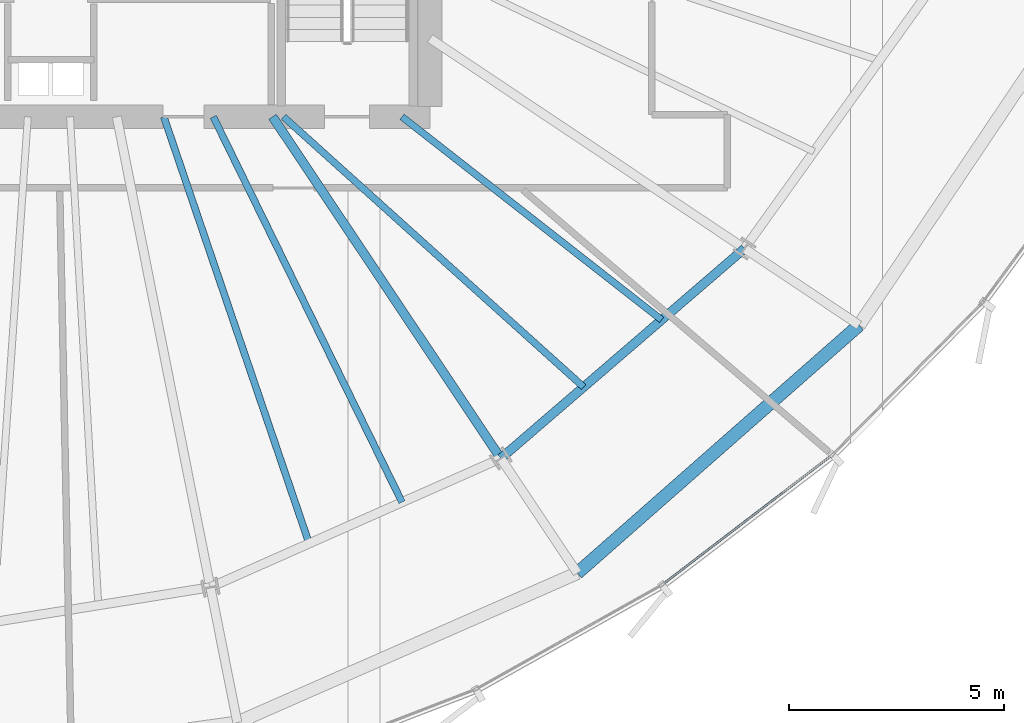
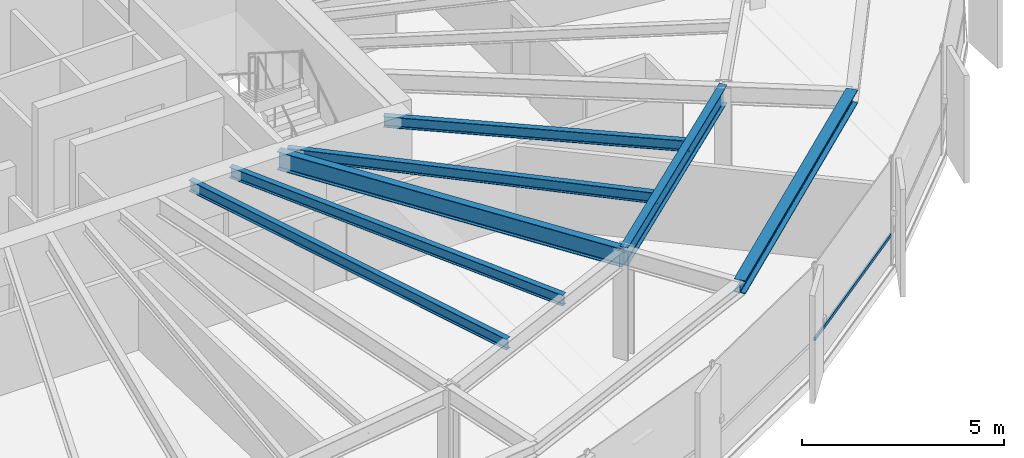
# One storey, part 13 of 35: 7 beams, 1 member, 1 element without a shape of its own.
"""IFC4 building model written with IfcOpenShell, lengths in metres."""

from ifc_helpers import new_model, si_unit, direction, frame, origin, origin_2d, place, context, subcontext, project, spatial, hollow_rectangle, i_section, extrude, source, transform, mapped, material, layer, layer_set, material_profile, profile_set, type_object, element, aggregate, save


model = new_model("IFC4")

# Units and contexts
model_context = context("Model", 3, precision=1e-05, world=origin(), true_north=direction((0.0, 1.0)))
body_context = subcontext(model_context, "Body", "Model", "MODEL_VIEW")
ifc_project = project(units=[si_unit("LENGTHUNIT", "METRE"), si_unit("AREAUNIT", "SQUARE_METRE"), si_unit("VOLUMEUNIT", "CUBIC_METRE"), si_unit("PLANEANGLEUNIT", "RADIAN"), si_unit("MASSUNIT", "GRAM", prefix="KILO"), si_unit("THERMODYNAMICTEMPERATUREUNIT", "KELVIN")], contexts=[model_context])

# Site, building, storey
site_placement = place(None, origin())
site = spatial("IfcSite", under=ifc_project, at=site_placement, CompositionType="ELEMENT")
building_placement = place(site_placement, origin())
building = spatial("IfcBuilding", under=site, at=building_placement, Name="Kethvar Cultural Tower", CompositionType="ELEMENT")
storey_placement = place(building_placement, frame((0.0, 0.0, 135.89990234375)))
storey = spatial("IfcBuildingStorey", under=building, at=storey_placement, Name="L34", CompositionType="ELEMENT", Elevation=135.89990234375)

# Beams
ifc_material_1 = material(Name="Steel S355J2", Category="steel")
ifc_material_profile_1 = material_profile(ifc_material_1, i_section(OverallWidth=0.2099609375, OverallDepth=0.550048828125, WebThickness=0.010986328125, FlangeThickness=0.01708984375, FilletRadius=0.02392578125, at=origin_2d()), Name="Steel S355J2 — IPE550")
ifc_profile_set_1 = profile_set([ifc_material_profile_1], Name="Steel S355J2 — IPE550")
beam_type_1 = type_object("IfcBeamType", Name="BM-IPE550", PredefinedType="BEAM", material=ifc_profile_set_1)
shared_shape_1 = source(origin(), body_context, "Body", "SweptSolid", [
    extrude(i_section(OverallWidth=0.2099609375, OverallDepth=0.550048828125, WebThickness=0.010986328125, FlangeThickness=0.01708984375, FilletRadius=0.02392578125, at=origin_2d()), origin(), (0.0, 0.0, 1.0), 9.534423828125),
])
beam_1_placement = place(storey_placement, frame((51.945068359375, 20.10009765625, 3.023193359375), z_axis=(0.555550817894, -0.831482584747, 0.0), x_axis=(0.831482584747, 0.555550817894, 0.0)))
element("IfcBeam", 1, at=beam_1_placement, inside=storey, type_object=beam_type_1, Name="L34 Primary Radial Beam RB-14", PredefinedType="BEAM", context=body_context, shape_type="MappedRepresentation", body=[
    mapped(shared_shape_1, transform((0.0, 0.0, 0.0), scale=1.0)),
])
ifc_material_profile_2 = material_profile(ifc_material_1, i_section(OverallWidth=0.159912109375, OverallDepth=0.330078125, WebThickness=0.007568359375, FlangeThickness=0.011474609375, FilletRadius=0.01806640625, at=origin_2d()), Name="Steel S355J2 — IPE330")
ifc_profile_set_2 = profile_set([ifc_material_profile_2], Name="Steel S355J2 — IPE330")
beam_type_2 = type_object("IfcBeamType", Name="BM-J330", PredefinedType="JOIST", material=ifc_profile_set_2)
shared_shape_2 = source(origin(), body_context, "Body", "SweptSolid", [
    extrude(i_section(OverallWidth=0.159912109375, OverallDepth=0.330078125, WebThickness=0.007568359375, FlangeThickness=0.011474609375, FilletRadius=0.01806640625, at=origin_2d()), origin(), (0.0, 0.0, 1.0), 10.45947265625),
])
beam_2_placement = place(storey_placement, frame((49.42236328125, 20.10009765625, 3.133056640625), z_axis=(0.322390188368, -0.94660687006, 0.0), x_axis=(0.94660687006, 0.322390188368, 0.0)))
element("IfcBeam", 2, at=beam_2_placement, inside=storey, type_object=beam_type_2, Name="L34 Composite Floor Joist J-13A", PredefinedType="JOIST", context=body_context, shape_type="MappedRepresentation", body=[
    mapped(shared_shape_2, transform((0.0, 0.0, 0.0), scale=1.0)),
])
shared_shape_3 = source(origin(), body_context, "Body", "SweptSolid", [
    extrude(i_section(OverallWidth=0.159912109375, OverallDepth=0.330078125, WebThickness=0.007568359375, FlangeThickness=0.011474609375, FilletRadius=0.01806640625, at=origin_2d()), origin(), (0.0, 0.0, 1.0), 9.959228515625),
])
beam_3_placement = place(storey_placement, frame((50.57080078125, 20.10009765625, 3.133056640625), z_axis=(0.439785134514, -0.898103020516, 0.0), x_axis=(0.898103020516, 0.439785134514, 0.0)))
element("IfcBeam", 3, at=beam_3_placement, inside=storey, type_object=beam_type_2, Name="L34 Composite Floor Joist J-13B", PredefinedType="JOIST", context=body_context, shape_type="MappedRepresentation", body=[
    mapped(shared_shape_3, transform((0.0, 0.0, 0.0), scale=1.0)),
])
shared_shape_4 = source(origin(), body_context, "Body", "SweptSolid", [
    extrude(i_section(OverallWidth=0.2099609375, OverallDepth=0.550048828125, WebThickness=0.010986328125, FlangeThickness=0.01708984375, FilletRadius=0.02392578125, at=origin_2d()), origin(), (0.0, 0.0, 1.0), 7.46484375),
])
beam_4_placement = place(storey_placement, frame((57.241943359375, 12.17236328125, 3.023193359375), z_axis=(0.757784075291, 0.652505398625, 0.0), x_axis=(-0.652505398625, 0.757784075291, 0.0)))
element("IfcBeam", 4, at=beam_4_placement, inside=storey, type_object=beam_type_1, Name="L34 Column Ring Tie Beam CR-14", PredefinedType="BEAM", context=body_context, shape_type="MappedRepresentation", body=[
    mapped(shared_shape_4, transform((0.0, 0.0, 0.0), scale=1.0)),
])
ifc_material_profile_3 = material_profile(ifc_material_1, i_section(OverallWidth=0.300048828125, OverallDepth=0.39990234375, WebThickness=0.013427734375, FlangeThickness=0.02392578125, FilletRadius=0.027099609375, at=origin_2d()), Name="Steel S355J2 — HEB400")
ifc_profile_set_3 = profile_set([ifc_material_profile_3], Name="Steel S355J2 — HEB400")
beam_type_3 = type_object("IfcBeamType", Name="BM-SP400", PredefinedType="SPANDREL", material=ifc_profile_set_3)
shared_shape_5 = source(origin(), body_context, "Body", "SweptSolid", [
    extrude(i_section(OverallWidth=0.300048828125, OverallDepth=0.39990234375, WebThickness=0.013427734375, FlangeThickness=0.02392578125, FilletRadius=0.027099609375, at=origin_2d()), origin(), (0.0, 0.0, 1.0), 8.71044921875),
])
beam_5_placement = place(storey_placement, frame((59.019775390625, 9.51171875, 3.09814453125), z_axis=(0.75077856833, 0.660553965498, 0.0), x_axis=(-0.660553965498, 0.75077856833, 0.0)))
element("IfcBeam", 5, at=beam_5_placement, inside=storey, type_object=beam_type_3, Name="L34 Perimeter Spandrel Beam SP-14", PredefinedType="SPANDREL", context=body_context, shape_type="MappedRepresentation", body=[
    mapped(shared_shape_5, transform((0.0, 0.0, 0.0), scale=1.0)),
])
shared_shape_6 = source(origin(), body_context, "Body", "SweptSolid", [
    extrude(i_section(OverallWidth=0.159912109375, OverallDepth=0.330078125, WebThickness=0.007568359375, FlangeThickness=0.011474609375, FilletRadius=0.01806640625, at=origin_2d()), origin(), (0.0, 0.0, 1.0), 9.372802734375),
])
beam_6_placement = place(storey_placement, frame((52.199951171875, 20.10009765625, 3.133056640625), z_axis=(0.743151656479, -0.669123019685, 0.0), x_axis=(0.669123019685, 0.743151656479, 0.0)))
element("IfcBeam", 6, at=beam_6_placement, inside=storey, type_object=beam_type_2, Name="L34 Composite Floor Joist J-14A", PredefinedType="JOIST", context=body_context, shape_type="MappedRepresentation", body=[
    mapped(shared_shape_6, transform((0.0, 0.0, 0.0), scale=1.0)),
])
shared_shape_7 = source(origin(), body_context, "Body", "SweptSolid", [
    extrude(i_section(OverallWidth=0.159912109375, OverallDepth=0.330078125, WebThickness=0.007568359375, FlangeThickness=0.011474609375, FilletRadius=0.01806640625, at=origin_2d()), origin(), (0.0, 0.0, 1.0), 7.649658203125),
])
beam_7_placement = place(storey_placement, frame((54.949951171875, 20.10009765625, 3.133056640625), z_axis=(0.787671994752, -0.616094821179, 0.0), x_axis=(0.616094821179, 0.787671994752, 0.0)))
element("IfcBeam", 7, at=beam_7_placement, inside=storey, type_object=beam_type_2, Name="L34 Composite Floor Joist J-14B", PredefinedType="JOIST", context=body_context, shape_type="MappedRepresentation", body=[
    mapped(shared_shape_7, transform((0.0, 0.0, 0.0), scale=1.0)),
])

# Curtain wall, member
ifc_material_2 = material(Name="Aluminium 6063-T6", Category="aluminium")
ifc_layer = layer(ifc_material_2, 0.179931640625, Name="Aluminium 6063-T6", Category="aluminium")
ifc_layer_set = layer_set([ifc_layer], Name="Aluminium 6063-T6 (180 mm)")
curtain_wall_type = type_object("IfcCurtainWallType", Name="CW-SYS-04-Z34", PredefinedType="NOTDEFINED", material=ifc_layer_set)
curtain_wall_placement = place(storey_placement, origin())
curtain_wall = element("IfcCurtainWall", 8, at=curtain_wall_placement, inside=storey, type_object=curtain_wall_type, Name="L34 Curtain Wall Run 05", PredefinedType="NOTDEFINED")
ifc_material_profile_4 = material_profile(ifc_material_2, hollow_rectangle(XDim=0.050048828125, YDim=0.10009765625, WallThickness=0.00390625, at=origin_2d()), Name="Aluminium 6063-T6 — RHS100x50x4")
ifc_profile_set_4 = profile_set([ifc_material_profile_4], Name="Aluminium 6063-T6 — RHS100x50x4")
member_type = type_object("IfcMemberType", Name="CW-SYS-04-Z34-TRN", PredefinedType="USERDEFINED", material=ifc_profile_set_4)
shared_shape_8 = source(origin(), body_context, "Body", "SweptSolid", [
    extrude(hollow_rectangle(XDim=0.050048828125, YDim=0.10009765625, WallThickness=0.00390625, at=origin_2d()), origin(), (0.0, 0.0, 1.0), 4.900146484375),
])
member_placement = place(storey_placement, frame((61.01953125, 9.263916015625, 0.9501953125), z_axis=(0.79473809977, 0.606952512783, 0.0), x_axis=(-0.606952512783, 0.79473809977, 0.0)))
member = element("IfcMember", 9, at=member_placement, type_object=member_type, Name="CW-L34-R05 Transom 5", ObjectType="TRANSOM", PredefinedType="USERDEFINED", context=body_context, shape_type="MappedRepresentation", body=[
    mapped(shared_shape_8, transform((0.0, 0.0, 0.0), scale=1.0)),
])
aggregate(curtain_wall, [member])

save(model, "model.ifc")
